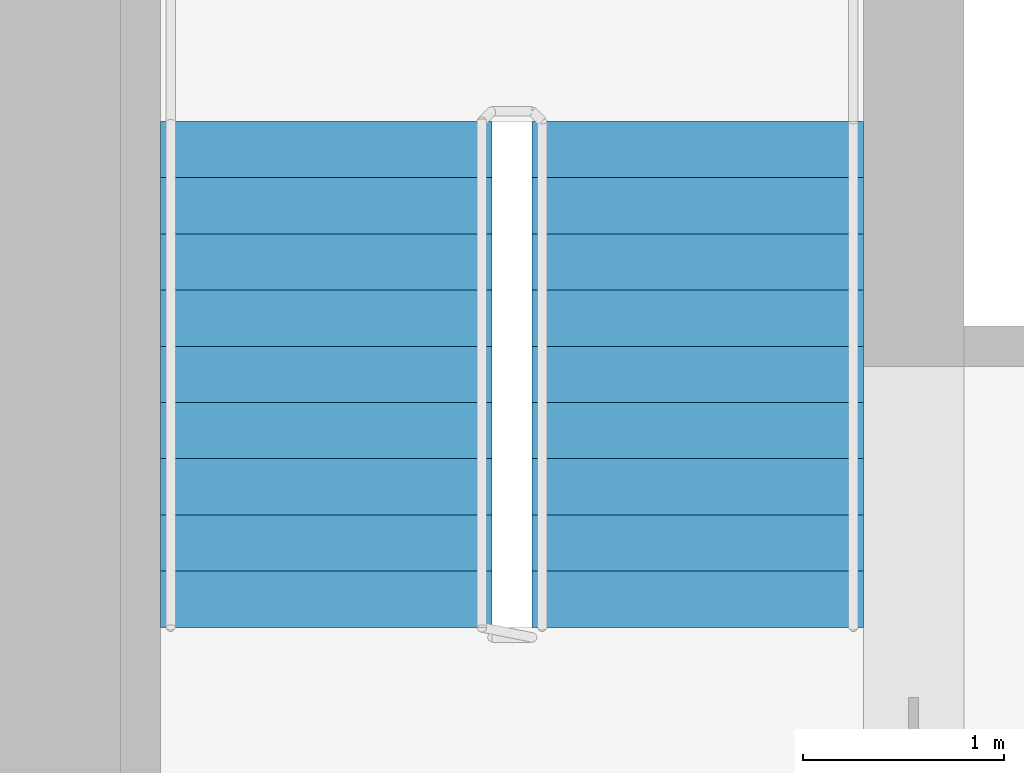
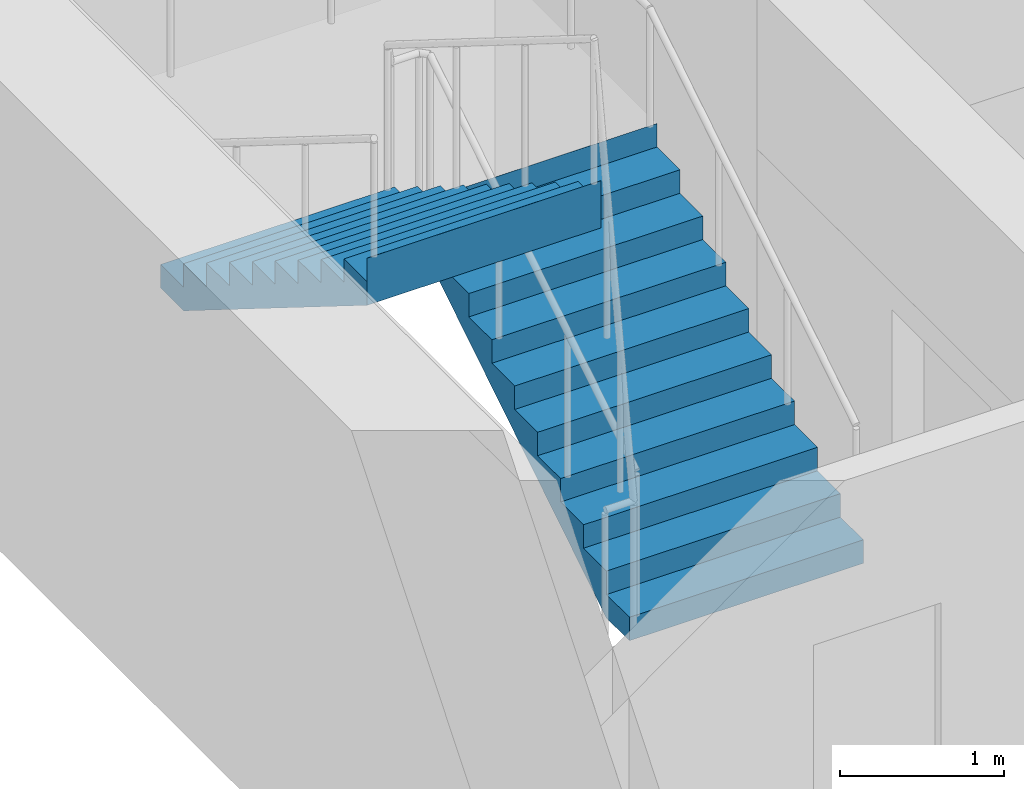
# One storey, part 13 of 14: 2 stair flights, 1 element without a shape of its own.
"""IFC4 building model written with IfcOpenShell, lengths in metres."""

from ifc_helpers import new_model, si_unit, direction, frame, origin, place, context, subcontext, project, spatial, polyline, outline, extrude, material, type_object, element, aggregate, save


model = new_model("IFC4")

# Units and contexts
model_context = context("Model", 3, precision=1e-05, world=origin(), true_north=direction((0.0, 1.0)))
body_context = subcontext(model_context, "Body", "Model", "MODEL_VIEW")
ifc_project = project(units=[si_unit("LENGTHUNIT", "METRE"), si_unit("AREAUNIT", "SQUARE_METRE"), si_unit("VOLUMEUNIT", "CUBIC_METRE"), si_unit("PLANEANGLEUNIT", "RADIAN"), si_unit("MASSUNIT", "GRAM", prefix="KILO")], contexts=[model_context])

# Site, building, storey
site_placement = place(None, origin())
site = spatial("IfcSite", under=ifc_project, at=site_placement, CompositionType="ELEMENT")
building_placement = place(site_placement, origin())
building = spatial("IfcBuilding", under=site, at=building_placement, Name="Tamorin Gate", CompositionType="ELEMENT")
storey_placement = place(building_placement, frame((0.0, 0.0, 186.199951171875)))
storey = spatial("IfcBuildingStorey", under=building, at=storey_placement, Name="L45", CompositionType="ELEMENT", Elevation=186.199951171875)

# Stair, stair flights
ifc_material = material(Name="Concrete C40/50", Category="concrete")
stair_type = type_object("IfcStairType", Name="Exit stair", PredefinedType="HALF_TURN_STAIR", material=ifc_material)
stair_placement = place(storey_placement, origin())
stair = element("IfcStair", 1, at=stair_placement, inside=storey, type_object=stair_type, Name="L45 stair ST2", PredefinedType="HALF_TURN_STAIR")
stair_flight_type = type_object("IfcStairFlightType", Name="Exit stair flight", PredefinedType="STRAIGHT", material=ifc_material)
stair_flight_1_placement = place(storey_placement, frame((33.675048828125, 77.0, 0.0), z_axis=(0.0, 0.0, 1.0), x_axis=(0.0, 1.0, 0.0)))
stair_flight_1 = element("IfcStairFlight", 2, at=stair_flight_1_placement, type_object=stair_flight_type, Name="ST2 flight 1", NumberOfRisers=10, NumberOfTreads=9, PredefinedType="STRAIGHT", RiserHeight=0.175, TreadLength=0.28, context=body_context, shape_type="SweptSolid", body=[
    extrude(outline(polyline([(-0.00048828125, 0.0), (-0.00048828125, 0.001708984375), (-0.00048828125, 0.00341796875), (-0.00048828125, 0.005126953125), (-0.00048828125, 0.0068359375), (-0.00048828125, 0.008544921875), (-0.00048828125, 0.010498046875), (-0.00048828125, 0.01220703125), (-0.00048828125, 0.013916015625), (-0.00048828125, 0.015625), (-0.00048828125, 0.017333984375), (-0.00048828125, 0.01904296875), (-0.00048828125, 0.020751953125), (-0.00048828125, 0.0224609375), (-0.00048828125, 0.024169921875), (-0.00048828125, 0.02587890625), (-0.00048828125, 0.02783203125), (-0.00048828125, 0.029541015625), (-0.00048828125, 0.03125), (-0.00048828125, 0.032958984375), (-0.00048828125, 0.03466796875), (-0.00048828125, 0.036376953125), (-0.00048828125, 0.0380859375), (-0.00048828125, 0.039794921875), (-0.00048828125, 0.04150390625), (-0.00048828125, 0.043212890625), (-0.00048828125, 0.045166015625), (-0.00048828125, 0.046875), (-0.00048828125, 0.048583984375), (-0.00048828125, 0.05029296875), (-0.00048828125, 0.052001953125), (-0.00048828125, 0.0537109375), (-0.00048828125, 0.055419921875), (-0.00048828125, 0.05712890625), (-0.00048828125, 0.058837890625), (-0.00048828125, 0.060546875), (-0.00048828125, 0.062255859375), (-0.00048828125, 0.064208984375), (-0.00048828125, 0.06591796875), (-0.00048828125, 0.067626953125), (-0.00048828125, 0.0693359375), (-0.00048828125, 0.071044921875), (-0.00048828125, 0.07275390625), (-0.00048828125, 0.074462890625), (-0.00048828125, 0.076171875), (-0.00048828125, 0.077880859375), (-0.00048828125, 0.07958984375), (-0.00048828125, 0.08154296875), (-0.00048828125, 0.083251953125), (-0.00048828125, 0.0849609375), (-0.00048828125, 0.086669921875), (-0.00048828125, 0.08837890625), (-0.00048828125, 0.090087890625), (-0.00048828125, 0.091796875), (-0.00048828125, 0.093505859375), (-0.00048828125, 0.09521484375), (-0.00048828125, 0.096923828125), (-0.00048828125, 0.098876953125), (-0.00048828125, 0.1005859375), (-0.00048828125, 0.102294921875), (-0.00048828125, 0.10400390625), (-0.00048828125, 0.105712890625), (-0.00048828125, 0.107421875), (-0.00048828125, 0.109130859375), (-0.00048828125, 0.11083984375), (-0.00048828125, 0.112548828125), (-0.00048828125, 0.1142578125), (-0.00048828125, 0.1162109375), (-0.00048828125, 0.117919921875), (-0.00048828125, 0.11962890625), (-0.00048828125, 0.121337890625), (-0.00048828125, 0.123046875), (-0.00048828125, 0.124755859375), (-0.00048828125, 0.12646484375), (-0.00048828125, 0.128173828125), (-0.00048828125, 0.1298828125), (-0.00048828125, 0.131591796875), (-0.00048828125, 0.13330078125), (-0.00048828125, 0.13525390625), (-0.00048828125, 0.136962890625), (-0.00048828125, 0.138671875), (-0.00048828125, 0.140380859375), (-0.00048828125, 0.14208984375), (-0.00048828125, 0.143798828125), (-0.00048828125, 0.1455078125), (-0.00048828125, 0.147216796875), (-0.00048828125, 0.14892578125), (-0.00048828125, 0.150634765625), (-0.00048828125, 0.152587890625), (-0.00048828125, 0.154296875), (-0.00048828125, 0.156005859375), (-0.00048828125, 0.15771484375), (-0.00048828125, 0.159423828125), (-0.00048828125, 0.1611328125), (-0.00048828125, 0.162841796875), (-0.00048828125, 0.16455078125), (-0.00048828125, 0.166259765625), (-0.00048828125, 0.16796875), (-0.00048828125, 0.169921875), (-0.00048828125, 0.171630859375), (-0.00048828125, 0.17333984375), (-0.00048828125, 0.175048828125), (0.280029296875, 0.175048828125), (0.280029296875, 0.35009765625), (0.56005859375, 0.35009765625), (0.56005859375, 0.52490234375), (0.840087890625, 0.52490234375), (0.840087890625, 0.699951171875), (1.1201171875, 0.699951171875), (1.1201171875, 0.875), (1.39990234375, 0.875), (1.39990234375, 1.050048828125), (1.679931640625, 1.050048828125), (1.679931640625, 1.22509765625), (1.9599609375, 1.22509765625), (1.9599609375, 1.39990234375), (2.239990234375, 1.39990234375), (2.239990234375, 1.574951171875), (2.52001953125, 1.574951171875), (2.52001953125, 1.75), (2.5205078125, 1.75), (2.5205078125, 1.74658203125), (2.5205078125, 1.742919921875), (2.5205078125, 1.739501953125), (2.5205078125, 1.736083984375), (2.5205078125, 1.732666015625), (2.5205078125, 1.72900390625), (2.5205078125, 1.7255859375), (2.5205078125, 1.72216796875), (2.5205078125, 1.71875), (2.5205078125, 1.715087890625), (2.5205078125, 1.711669921875), (2.5205078125, 1.708251953125), (2.5205078125, 1.704833984375), (2.5205078125, 1.701171875), (2.5205078125, 1.69775390625), (2.5205078125, 1.6943359375), (2.5205078125, 1.690673828125), (2.5205078125, 1.687255859375), (2.5205078125, 1.683837890625), (2.5205078125, 1.680419921875), (2.5205078125, 1.6767578125), (2.5205078125, 1.67333984375), (2.5205078125, 1.669921875), (2.5205078125, 1.66650390625), (2.5205078125, 1.662841796875), (2.5205078125, 1.659423828125), (2.5205078125, 1.656005859375), (2.5205078125, 1.652587890625), (2.5205078125, 1.64892578125), (2.5205078125, 1.6455078125), (2.5205078125, 1.64208984375), (2.5205078125, 1.638427734375), (2.5205078125, 1.635009765625), (2.5205078125, 1.631591796875), (2.5205078125, 1.628173828125), (2.5205078125, 1.62451171875), (2.5205078125, 1.62109375), (2.5205078125, 1.61767578125), (2.5205078125, 1.6142578125), (2.5205078125, 1.610595703125), (2.5205078125, 1.607177734375), (2.5205078125, 1.603759765625), (2.5205078125, 1.600341796875), (2.5205078125, 1.5966796875), (2.5205078125, 1.59326171875), (2.5205078125, 1.58984375), (2.5205078125, 1.58642578125), (2.5205078125, 1.582763671875), (2.5205078125, 1.579345703125), (2.5205078125, 1.575927734375), (2.5205078125, 1.572265625), (2.5205078125, 1.56884765625), (2.5205078125, 1.5654296875), (2.5205078125, 1.56201171875), (2.5205078125, 1.558349609375), (2.5205078125, 1.554931640625), (2.5205078125, 1.551513671875), (2.5205078125, 1.548095703125), (2.5205078125, 1.54443359375), (2.5205078125, 1.541015625), (2.5205078125, 1.53759765625), (2.5205078125, 1.5341796875), (2.5205078125, 1.530517578125), (2.5205078125, 1.527099609375), (2.5205078125, 1.523681640625), (2.5205078125, 1.52001953125), (2.5205078125, 1.5166015625), (2.5205078125, 1.51318359375), (2.5205078125, 1.509765625), (2.5205078125, 1.506103515625), (2.5205078125, 1.502685546875), (2.5205078125, 1.499267578125), (2.5205078125, 1.495849609375), (2.5205078125, 1.4921875), (2.5205078125, 1.48876953125), (2.5205078125, 1.4853515625), (2.5205078125, 1.48193359375), (2.5205078125, 1.478271484375), (2.5205078125, 1.474853515625), (2.5205078125, 1.471435546875), (2.5205078125, 1.4677734375), (2.5205078125, 1.46435546875), (2.5205078125, 1.4609375), (2.5205078125, 1.45751953125), (2.5205078125, 1.453857421875), (2.5205078125, 1.450439453125), (2.5205078125, 1.447021484375), (2.5205078125, 1.443603515625), (2.5205078125, 1.43994140625), (2.5205078125, 1.4365234375), (2.5205078125, 1.43310546875), (2.5205078125, 1.4296875), (2.5205078125, 1.426025390625), (2.5205078125, 1.422607421875), (2.5205078125, 1.419189453125), (2.5205078125, 1.41552734375), (2.5205078125, 1.412109375), (2.5205078125, 1.40869140625), (2.5205078125, 1.4052734375), (2.5205078125, 1.401611328125), (2.5205078125, 1.398193359375), (2.52001953125, 1.398193359375), (0.28271484375, 0.0), (-0.00048828125, 0.0)])), frame((0.0, 0.824951171875, 0.0), z_axis=(0.0, -1.0, 0.0), x_axis=(1.0, 0.0, 0.0)), (0.0, 0.0, 1.0), 1.64990234375),
])
stair_flight_2_placement = place(storey_placement, frame((31.824951171875, 79.52001953125, 1.75), z_axis=(0.0, 0.0, 1.0), x_axis=(0.0, -1.0, 0.0)))
stair_flight_2 = element("IfcStairFlight", 3, at=stair_flight_2_placement, type_object=stair_flight_type, Name="ST2 flight 2", NumberOfRisers=10, NumberOfTreads=9, PredefinedType="STRAIGHT", RiserHeight=0.175, TreadLength=0.28, context=body_context, shape_type="SweptSolid", body=[
    extrude(outline(polyline([(-0.00048828125, 0.0), (-0.00048828125, 0.001708984375), (-0.00048828125, 0.00341796875), (-0.00048828125, 0.005126953125), (-0.00048828125, 0.0068359375), (-0.00048828125, 0.008544921875), (-0.00048828125, 0.010498046875), (-0.00048828125, 0.01220703125), (-0.00048828125, 0.013916015625), (-0.00048828125, 0.015625), (-0.00048828125, 0.017333984375), (-0.00048828125, 0.01904296875), (-0.00048828125, 0.020751953125), (-0.00048828125, 0.0224609375), (-0.00048828125, 0.024169921875), (-0.00048828125, 0.02587890625), (-0.00048828125, 0.02783203125), (-0.00048828125, 0.029541015625), (-0.00048828125, 0.03125), (-0.00048828125, 0.032958984375), (-0.00048828125, 0.03466796875), (-0.00048828125, 0.036376953125), (-0.00048828125, 0.0380859375), (-0.00048828125, 0.039794921875), (-0.00048828125, 0.04150390625), (-0.00048828125, 0.043212890625), (-0.00048828125, 0.045166015625), (-0.00048828125, 0.046875), (-0.00048828125, 0.048583984375), (-0.00048828125, 0.05029296875), (-0.00048828125, 0.052001953125), (-0.00048828125, 0.0537109375), (-0.00048828125, 0.055419921875), (-0.00048828125, 0.05712890625), (-0.00048828125, 0.058837890625), (-0.00048828125, 0.060546875), (-0.00048828125, 0.062255859375), (-0.00048828125, 0.064208984375), (-0.00048828125, 0.06591796875), (-0.00048828125, 0.067626953125), (-0.00048828125, 0.0693359375), (-0.00048828125, 0.071044921875), (-0.00048828125, 0.07275390625), (-0.00048828125, 0.074462890625), (-0.00048828125, 0.076171875), (-0.00048828125, 0.077880859375), (-0.00048828125, 0.07958984375), (-0.00048828125, 0.08154296875), (-0.00048828125, 0.083251953125), (-0.00048828125, 0.0849609375), (-0.00048828125, 0.086669921875), (-0.00048828125, 0.08837890625), (-0.00048828125, 0.090087890625), (-0.00048828125, 0.091796875), (-0.00048828125, 0.093505859375), (-0.00048828125, 0.09521484375), (-0.00048828125, 0.096923828125), (-0.00048828125, 0.098876953125), (-0.00048828125, 0.1005859375), (-0.00048828125, 0.102294921875), (-0.00048828125, 0.10400390625), (-0.00048828125, 0.105712890625), (-0.00048828125, 0.107421875), (-0.00048828125, 0.109130859375), (-0.00048828125, 0.11083984375), (-0.00048828125, 0.112548828125), (-0.00048828125, 0.1142578125), (-0.00048828125, 0.1162109375), (-0.00048828125, 0.117919921875), (-0.00048828125, 0.11962890625), (-0.00048828125, 0.121337890625), (-0.00048828125, 0.123046875), (-0.00048828125, 0.124755859375), (-0.00048828125, 0.12646484375), (-0.00048828125, 0.128173828125), (-0.00048828125, 0.1298828125), (-0.00048828125, 0.131591796875), (-0.00048828125, 0.13330078125), (-0.00048828125, 0.13525390625), (-0.00048828125, 0.136962890625), (-0.00048828125, 0.138671875), (-0.00048828125, 0.140380859375), (-0.00048828125, 0.14208984375), (-0.00048828125, 0.143798828125), (-0.00048828125, 0.1455078125), (-0.00048828125, 0.147216796875), (-0.00048828125, 0.14892578125), (-0.00048828125, 0.150634765625), (-0.00048828125, 0.152587890625), (-0.00048828125, 0.154296875), (-0.00048828125, 0.156005859375), (-0.00048828125, 0.15771484375), (-0.00048828125, 0.159423828125), (-0.00048828125, 0.1611328125), (-0.00048828125, 0.162841796875), (-0.00048828125, 0.16455078125), (-0.00048828125, 0.166259765625), (-0.00048828125, 0.16796875), (-0.00048828125, 0.169921875), (-0.00048828125, 0.171630859375), (-0.00048828125, 0.17333984375), (-0.00048828125, 0.175048828125), (0.280029296875, 0.175048828125), (0.280029296875, 0.35009765625), (0.56005859375, 0.35009765625), (0.56005859375, 0.52490234375), (0.840087890625, 0.52490234375), (0.840087890625, 0.699951171875), (1.1201171875, 0.699951171875), (1.1201171875, 0.875), (1.39990234375, 0.875), (1.39990234375, 1.050048828125), (1.679931640625, 1.050048828125), (1.679931640625, 1.22509765625), (1.9599609375, 1.22509765625), (1.9599609375, 1.39990234375), (2.239990234375, 1.39990234375), (2.239990234375, 1.574951171875), (2.52001953125, 1.574951171875), (2.52001953125, 1.75), (2.5205078125, 1.75), (2.5205078125, 1.74658203125), (2.5205078125, 1.742919921875), (2.5205078125, 1.739501953125), (2.5205078125, 1.736083984375), (2.5205078125, 1.732666015625), (2.5205078125, 1.72900390625), (2.5205078125, 1.7255859375), (2.5205078125, 1.72216796875), (2.5205078125, 1.71875), (2.5205078125, 1.715087890625), (2.5205078125, 1.711669921875), (2.5205078125, 1.708251953125), (2.5205078125, 1.704833984375), (2.5205078125, 1.701171875), (2.5205078125, 1.69775390625), (2.5205078125, 1.6943359375), (2.5205078125, 1.690673828125), (2.5205078125, 1.687255859375), (2.5205078125, 1.683837890625), (2.5205078125, 1.680419921875), (2.5205078125, 1.6767578125), (2.5205078125, 1.67333984375), (2.5205078125, 1.669921875), (2.5205078125, 1.66650390625), (2.5205078125, 1.662841796875), (2.5205078125, 1.659423828125), (2.5205078125, 1.656005859375), (2.5205078125, 1.652587890625), (2.5205078125, 1.64892578125), (2.5205078125, 1.6455078125), (2.5205078125, 1.64208984375), (2.5205078125, 1.638427734375), (2.5205078125, 1.635009765625), (2.5205078125, 1.631591796875), (2.5205078125, 1.628173828125), (2.5205078125, 1.62451171875), (2.5205078125, 1.62109375), (2.5205078125, 1.61767578125), (2.5205078125, 1.6142578125), (2.5205078125, 1.610595703125), (2.5205078125, 1.607177734375), (2.5205078125, 1.603759765625), (2.5205078125, 1.600341796875), (2.5205078125, 1.5966796875), (2.5205078125, 1.59326171875), (2.5205078125, 1.58984375), (2.5205078125, 1.58642578125), (2.5205078125, 1.582763671875), (2.5205078125, 1.579345703125), (2.5205078125, 1.575927734375), (2.5205078125, 1.572265625), (2.5205078125, 1.56884765625), (2.5205078125, 1.5654296875), (2.5205078125, 1.56201171875), (2.5205078125, 1.558349609375), (2.5205078125, 1.554931640625), (2.5205078125, 1.551513671875), (2.5205078125, 1.548095703125), (2.5205078125, 1.54443359375), (2.5205078125, 1.541015625), (2.5205078125, 1.53759765625), (2.5205078125, 1.5341796875), (2.5205078125, 1.530517578125), (2.5205078125, 1.527099609375), (2.5205078125, 1.523681640625), (2.5205078125, 1.52001953125), (2.5205078125, 1.5166015625), (2.5205078125, 1.51318359375), (2.5205078125, 1.509765625), (2.5205078125, 1.506103515625), (2.5205078125, 1.502685546875), (2.5205078125, 1.499267578125), (2.5205078125, 1.495849609375), (2.5205078125, 1.4921875), (2.5205078125, 1.48876953125), (2.5205078125, 1.4853515625), (2.5205078125, 1.48193359375), (2.5205078125, 1.478271484375), (2.5205078125, 1.474853515625), (2.5205078125, 1.471435546875), (2.5205078125, 1.4677734375), (2.5205078125, 1.46435546875), (2.5205078125, 1.4609375), (2.5205078125, 1.45751953125), (2.5205078125, 1.453857421875), (2.5205078125, 1.450439453125), (2.5205078125, 1.447021484375), (2.5205078125, 1.443603515625), (2.5205078125, 1.43994140625), (2.5205078125, 1.4365234375), (2.5205078125, 1.43310546875), (2.5205078125, 1.4296875), (2.5205078125, 1.426025390625), (2.5205078125, 1.422607421875), (2.5205078125, 1.419189453125), (2.5205078125, 1.41552734375), (2.5205078125, 1.412109375), (2.5205078125, 1.40869140625), (2.5205078125, 1.4052734375), (2.5205078125, 1.401611328125), (2.5205078125, 1.398193359375), (2.52001953125, 1.398193359375), (0.28271484375, 0.0), (-0.00048828125, 0.0)])), frame((0.0, 0.824951171875, 0.0), z_axis=(0.0, -1.0, 0.0), x_axis=(1.0, 0.0, 0.0)), (0.0, 0.0, 1.0), 1.64990234375),
])
aggregate(stair, [stair_flight_1, stair_flight_2])

save(model, "model.ifc")
